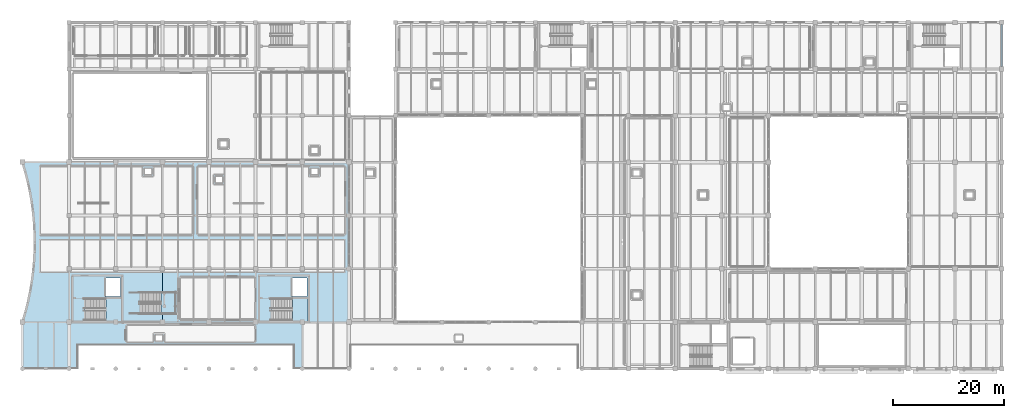
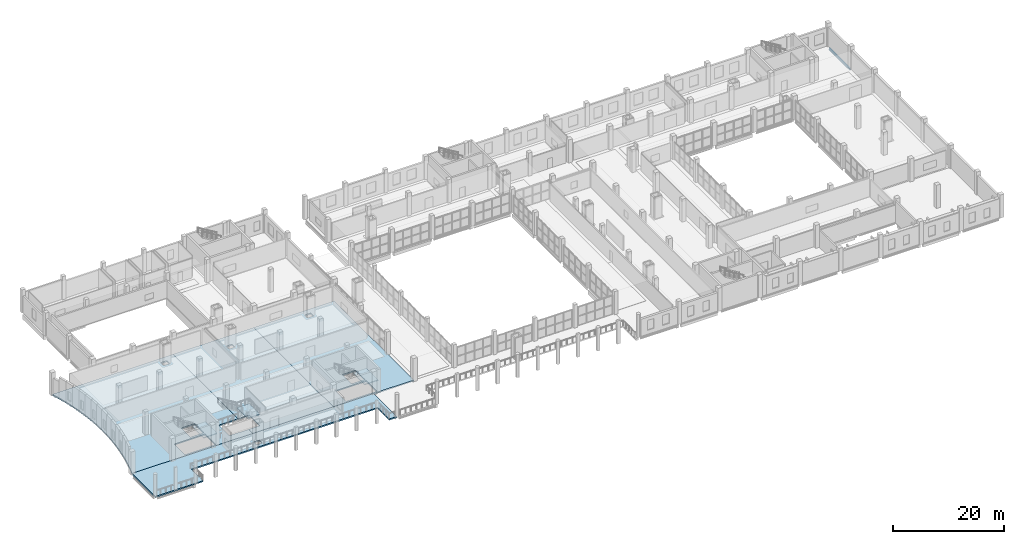
# One storey, part 38 of 66: 7 slabs, 1 beam, 3 elements without a shape of their own.
"""IFC4 building model written with IfcOpenShell, lengths in metres."""

from ifc_helpers import new_model, si_unit, direction, frame, origin, origin_2d, place, context, subcontext, project, spatial, polyline, i_section, outline, extrude, material, layer, layer_set, material_profile, profile_set, type_object, element, aggregate, save


model = new_model("IFC4")

# Units and contexts
model_context = context("Model", 3, precision=1e-05, world=origin(), true_north=direction((0.0, 1.0)))
body_context = subcontext(model_context, "Body", "Model", "MODEL_VIEW")
ifc_project = project(units=[si_unit("LENGTHUNIT", "METRE"), si_unit("AREAUNIT", "SQUARE_METRE"), si_unit("VOLUMEUNIT", "CUBIC_METRE"), si_unit("PLANEANGLEUNIT", "RADIAN"), si_unit("MASSUNIT", "GRAM", prefix="KILO")], contexts=[model_context])

# Site, building, storey
site_placement = place(None, origin())
site = spatial("IfcSite", under=ifc_project, at=site_placement, CompositionType="ELEMENT")
building_placement = place(site_placement, origin())
building = spatial("IfcBuilding", under=site, at=building_placement, Name="Zulmaris Art Gallery", CompositionType="ELEMENT")
storey_placement = place(building_placement, frame((0.0, 0.0, 5.39990234375)))
storey = spatial("IfcBuildingStorey", under=building, at=storey_placement, Name="L01", CompositionType="ELEMENT", Elevation=5.39990234375)

# Beam
ifc_material_1 = material(Name="Steel S355J2", Category="steel")
ifc_material_profile = material_profile(ifc_material_1, i_section(OverallWidth=0.300048828125, OverallDepth=0.39990234375, WebThickness=0.013427734375, FlangeThickness=0.02392578125, FilletRadius=0.027099609375, at=origin_2d()), Name="HEB 400")
ifc_profile_set = profile_set([ifc_material_profile], Name="Steel S355J2")
beam_type = type_object("IfcBeamType", Name="BEAM-SP02", PredefinedType="SPANDREL", material=ifc_profile_set)
beam_placement = place(storey_placement, frame((200.39990234375, 67.610107421875, -0.52978515625), z_axis=(0.0, 1.0, 0.0), x_axis=(-1.0, 0.0, 0.0)))
element("IfcBeam", 1, at=beam_placement, inside=storey, type_object=beam_type, Name="L01 Y-girder (x=200.4, 67.2..75.6)", PredefinedType="SPANDREL", context=body_context, shape_type="SweptSolid", body=[
    extrude(i_section(OverallWidth=0.300048828125, OverallDepth=0.39990234375, WebThickness=0.013427734375, FlangeThickness=0.02392578125, FilletRadius=0.027099609375, at=origin_2d()), origin(), (0.0, 0.0, 1.0), 7.579833984375),
])

# Slabs
ifc_material_2 = material(Name="Concrete C40/50", Category="concrete")
ifc_layer_1 = layer(ifc_material_2, 0.280029296875)
ifc_layer_set_1 = layer_set([ifc_layer_1], Name="Concrete C40/50")
slab_type_1 = type_object("IfcSlabType", Name="SLAB-SL-FL02", PredefinedType="FLOOR", material=ifc_layer_set_1)
slab_1_placement = place(storey_placement, frame((0.0, 0.0, -0.27978515625)))
element("IfcSlab", 2, at=slab_1_placement, inside=storey, type_object=slab_type_1, Name="L01 V1-W slab", PredefinedType="FLOOR", context=body_context, shape_type="SweptSolid", body=[
    extrude(outline(polyline([(24.51513671875, 23.35400390625), (24.963134765625, 25.126220703125), (25.34326171875, 26.914306640625), (25.655029296875, 28.715576171875), (25.89794921875, 30.527587890625), (26.07177734375, 32.34716796875), (26.176025390625, 34.17236328125), (26.2109375, 36.0), (26.176025390625, 37.82763671875), (26.07177734375, 39.65283203125), (25.89794921875, 41.472412109375), (25.655029296875, 43.284423828125), (25.34326171875, 45.085693359375), (24.963134765625, 46.873779296875), (24.51513671875, 48.64599609375), (24.0, 50.39990234375), (49.199951171875, 50.39990234375), (49.199951171875, 26.93994140625), (45.2099609375, 26.93994140625), (45.2099609375, 23.10009765625), (49.199951171875, 23.10009765625), (49.199951171875, 21.60009765625), (24.0, 21.60009765625), (24.51513671875, 23.35400390625)]), holes=[polyline([(35.260009765625, 21.949951171875), (41.64990234375, 21.949951171875), (41.64990234375, 25.7900390625), (35.260009765625, 25.7900390625), (35.260009765625, 21.949951171875)]), polyline([(41.64990234375, 26.219970703125), (41.64990234375, 29.550048828125), (38.85009765625, 29.550048828125), (38.85009765625, 26.219970703125), (41.64990234375, 26.219970703125)]), polyline([(47.199951171875, 48.199951171875), (47.199951171875, 49.199951171875), (46.0, 49.199951171875), (46.0, 48.199951171875), (47.199951171875, 48.199951171875)])]), origin(), (0.0, 0.0, 1.0), 0.27978515625),
])
slab_2_placement = place(storey_placement, frame((0.0, 0.0, -0.27978515625)))
element("IfcSlab", 3, at=slab_2_placement, inside=storey, type_object=slab_type_1, Name="L01 V1-M slab", PredefinedType="FLOOR", context=body_context, shape_type="SweptSolid", body=[
    extrude(outline(polyline([(49.199951171875, 50.39990234375), (66.0, 50.39990234375), (66.0, 21.60009765625), (49.199951171875, 21.60009765625), (49.199951171875, 23.10009765625), (51.550048828125, 23.10009765625), (51.550048828125, 26.93994140625), (49.199951171875, 26.93994140625), (49.199951171875, 50.39990234375)]), holes=[polyline([(60.0, 46.800048828125), (60.0, 47.800048828125), (58.800048828125, 47.800048828125), (58.800048828125, 46.800048828125), (60.0, 46.800048828125)])]), origin(), (0.0, 0.0, 1.0), 0.27978515625),
])
slab_3_placement = place(storey_placement, frame((0.0, 0.0, -0.27978515625)))
element("IfcSlab", 4, at=slab_3_placement, inside=storey, type_object=slab_type_1, Name="L01 V1-E slab", PredefinedType="FLOOR", context=body_context, shape_type="SweptSolid", body=[
    extrude(outline(polyline([(66.0, 21.60009765625), (66.0, 50.39990234375), (82.800048828125, 50.39990234375), (82.800048828125, 21.60009765625), (66.0, 21.60009765625)]), holes=[polyline([(68.860107421875, 21.949951171875), (75.25, 21.949951171875), (75.25, 25.7900390625), (68.860107421875, 25.7900390625), (68.860107421875, 21.949951171875)]), polyline([(75.25, 26.219970703125), (75.25, 29.550048828125), (72.449951171875, 29.550048828125), (72.449951171875, 26.219970703125), (75.25, 26.219970703125)]), polyline([(77.199951171875, 48.199951171875), (77.199951171875, 49.199951171875), (76.0, 49.199951171875), (76.0, 48.199951171875), (77.199951171875, 48.199951171875)])]), origin(), (0.0, 0.0, 1.0), 0.27978515625),
])
slab_4_placement = place(storey_placement, frame((0.0, 0.0, -0.27978515625)))
element("IfcSlab", 5, at=slab_4_placement, inside=storey, type_object=slab_type_1, Name="L01 V2-W slab", PredefinedType="FLOOR", context=body_context, shape_type="SweptSolid", body=[
    extrude(outline(polyline([(24.0, 13.199951171875), (24.0, 21.60009765625), (74.39990234375, 21.60009765625), (74.39990234375, 13.199951171875), (72.800048828125, 13.199951171875), (72.800048828125, 17.39990234375), (34.0, 17.39990234375), (34.0, 13.199951171875), (24.0, 13.199951171875)]), holes=[polyline([(49.199951171875, 18.199951171875), (49.199951171875, 19.199951171875), (48.0, 19.199951171875), (48.0, 18.199951171875), (49.199951171875, 18.199951171875)])]), origin(), (0.0, 0.0, 1.0), 0.27978515625),
])

# Stair, slab
stair_type_1 = type_object("IfcStairType", Name="STAIR-CORE", PredefinedType="HALF_TURN_STAIR", material=ifc_material_2)
stair_1_placement = place(storey_placement, origin())
stair_1 = element("IfcStair", 6, at=stair_1_placement, inside=storey, type_object=stair_type_1, Name="L01 Exit Stair ST1", PredefinedType="HALF_TURN_STAIR")
ifc_layer_2 = layer(ifc_material_2, 0.2099609375)
ifc_layer_set_2 = layer_set([ifc_layer_2], Name="Concrete C40/50")
slab_type_2 = type_object("IfcSlabType", Name="SLAB-STLND", PredefinedType="LANDING", material=ifc_layer_set_2)
slab_5_placement = place(storey_placement, frame((0.0, 0.0, 2.35009765625)))
slab_5 = element("IfcSlab", 7, at=slab_5_placement, type_object=slab_type_2, Name="ST1 landing 1", PredefinedType="LANDING", context=body_context, shape_type="SweptSolid", body=[
    extrude(outline(polyline([(39.02001953125, 21.72998046875), (41.85009765625, 21.72998046875), (41.85009765625, 26.010009765625), (39.02001953125, 26.010009765625), (39.02001953125, 21.72998046875)])), origin(), (0.0, 0.0, 1.0), 0.199951171875),
])
aggregate(stair_1, [slab_5])

stair_2_placement = place(storey_placement, origin())
stair_2 = element("IfcStair", 8, at=stair_2_placement, inside=storey, type_object=stair_type_1, Name="L01 Exit Stair ST2", PredefinedType="HALF_TURN_STAIR")
slab_6_placement = place(storey_placement, frame((0.0, 0.0, 2.35009765625)))
slab_6 = element("IfcSlab", 9, at=slab_6_placement, type_object=slab_type_2, Name="ST2 landing 1", PredefinedType="LANDING", context=body_context, shape_type="SweptSolid", body=[
    extrude(outline(polyline([(72.6201171875, 21.72998046875), (75.449951171875, 21.72998046875), (75.449951171875, 26.010009765625), (72.6201171875, 26.010009765625), (72.6201171875, 21.72998046875)])), origin(), (0.0, 0.0, 1.0), 0.199951171875),
])
aggregate(stair_2, [slab_6])

ifc_material_3 = material(Name="Precast concrete C40/50", Category="concrete")
stair_type_2 = type_object("IfcStairType", Name="STAIR-FEAT", PredefinedType="HALF_TURN_STAIR", material=ifc_material_3)
stair_3_placement = place(storey_placement, origin())
stair_3 = element("IfcStair", 10, at=stair_3_placement, inside=storey, type_object=stair_type_2, Name="L01 Grand Gallery Stair ST6", PredefinedType="HALF_TURN_STAIR")
slab_7_placement = place(storey_placement, frame((0.0, 0.0, 2.35009765625)))
slab_7 = element("IfcSlab", 11, at=slab_7_placement, type_object=slab_type_2, Name="ST6 landing 1", PredefinedType="LANDING", context=body_context, shape_type="SweptSolid", body=[
    extrude(outline(polyline([(48.969970703125, 23.10009765625), (51.550048828125, 23.10009765625), (51.550048828125, 26.93994140625), (48.969970703125, 26.93994140625), (48.969970703125, 23.10009765625)])), origin(), (0.0, 0.0, 1.0), 0.199951171875),
])
aggregate(stair_3, [slab_7])

save(model, "model.ifc")
